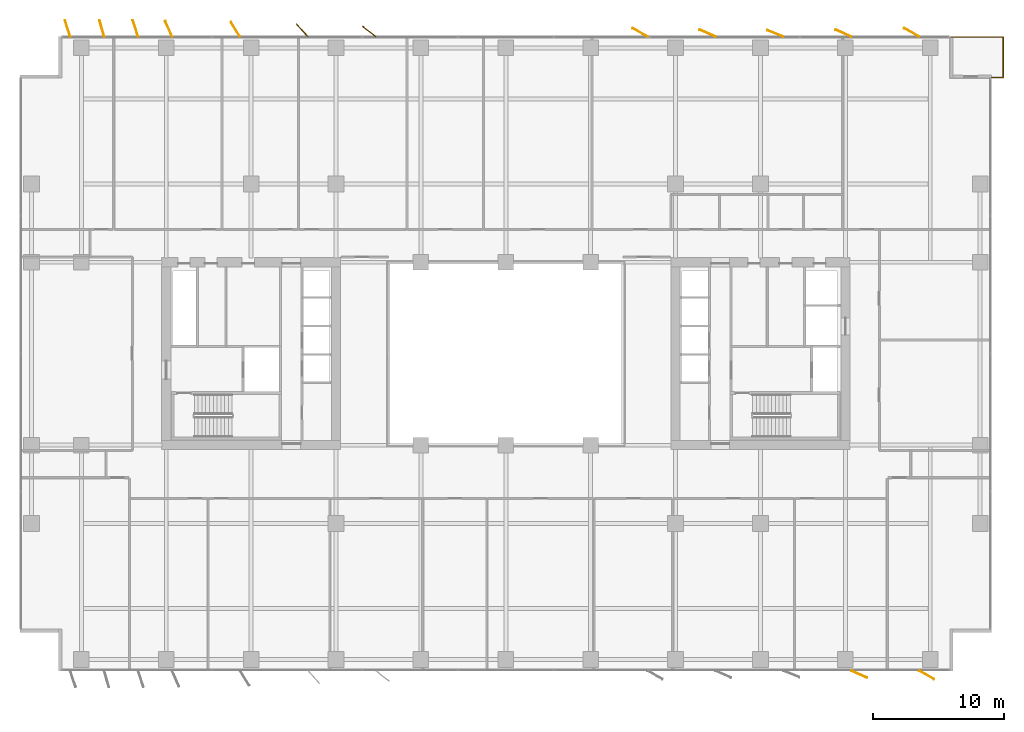
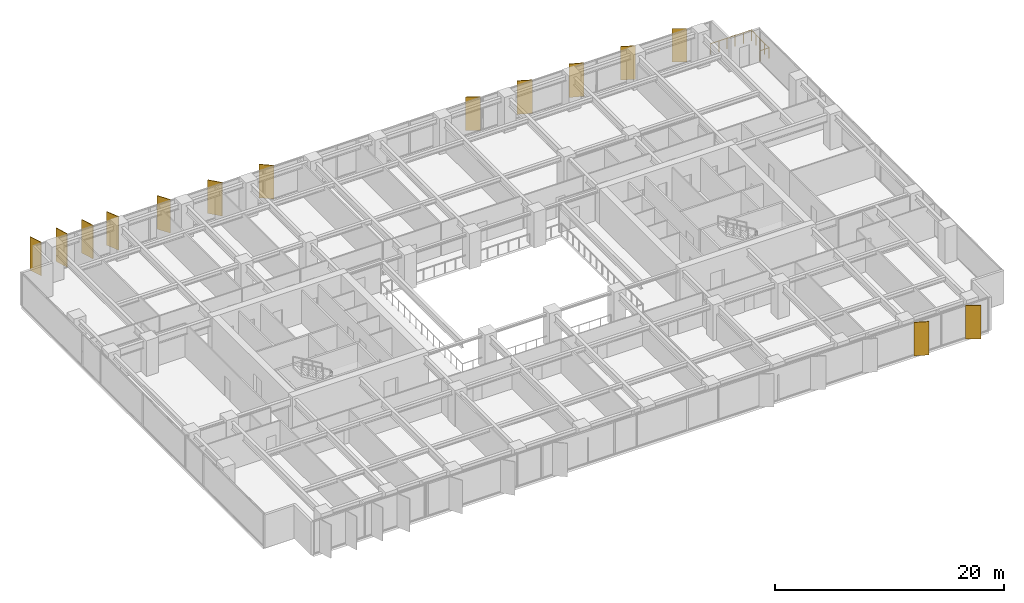
# One storey, part 20 of 20: 14 shading devices, 1 railing.
"""IFC4 building model written with IfcOpenShell, lengths in metres."""

from ifc_helpers import new_model, si_unit, direction, frame, origin, origin_2d, place, context, subcontext, project, spatial, rectangle, circle, extrude, material, layer, layer_set, type_object, element, save


model = new_model("IFC4")

# Units and contexts
model_context = context("Model", 3, precision=1e-05, world=origin(), true_north=direction((0.0, 1.0)))
body_context = subcontext(model_context, "Body", "Model", "MODEL_VIEW")
ifc_project = project(units=[si_unit("LENGTHUNIT", "METRE"), si_unit("AREAUNIT", "SQUARE_METRE"), si_unit("VOLUMEUNIT", "CUBIC_METRE"), si_unit("PLANEANGLEUNIT", "RADIAN"), si_unit("MASSUNIT", "GRAM", prefix="KILO")], contexts=[model_context])

# Site, building, storey
site_placement = place(None, origin())
site = spatial("IfcSite", under=ifc_project, at=site_placement, CompositionType="ELEMENT")
building_placement = place(site_placement, origin())
building = spatial("IfcBuilding", under=site, at=building_placement, Name="Putna Gate Headquarters", CompositionType="ELEMENT")
storey_placement = place(building_placement, frame((0.0, 0.0, 135.39990234375)))
storey = spatial("IfcBuildingStorey", under=building, at=storey_placement, Name="L33", CompositionType="ELEMENT", Elevation=135.39990234375)

# Railing
ifc_material_1 = material(Name="Anodised bronze steel and laminated glass guardrail", Category="steel")
railing_type = type_object("IfcRailingType", Name="RAIL-TERR-GUARD-1150", PredefinedType="GUARDRAIL", material=ifc_material_1)
railing_placement = place(storey_placement, frame((76.199951171875, 47.159912109375, 0.0)))
element("IfcRailing", 1, at=railing_placement, inside=storey, type_object=railing_type, Name="L33 Spiral Sky Terrace Guardrail NE", PredefinedType="GUARDRAIL", context=body_context, shape_type="SweptSolid", body=[
    extrude(circle(Radius=0.02392578125, at=origin_2d()), frame((0.0, 0.0, 1.1259765625), z_axis=(1.0, 0.0, 0.0), x_axis=(0.0, 1.0, 0.0)), (0.0, 0.0, 1.0), 0.89013671875),
    extrude(circle(Radius=0.02392578125, at=origin_2d()), frame((0.89013671875, 0.0, 1.1259765625), z_axis=(0.0, 1.0, 0.0), x_axis=(-1.0, 0.0, 0.0)), (0.0, 0.0, 1.0), 3.080078125),
    extrude(circle(Radius=0.02392578125, at=origin_2d()), frame((0.89013671875, 3.080078125, 1.1259765625), z_axis=(-1.0, 0.0, 0.0), x_axis=(0.0, -1.0, 0.0)), (0.0, 0.0, 1.0), 4.090087890625),
    extrude(circle(Radius=0.02099609375, at=origin_2d()), origin(), (0.0, 0.0, 1.0), 1.101806640625),
    extrude(circle(Radius=0.02099609375, at=origin_2d()), frame((0.89013671875, 0.0, 0.0)), (0.0, 0.0, 1.0), 1.101806640625),
    extrude(circle(Radius=0.02099609375, at=origin_2d()), frame((0.89013671875, 0.77001953125, 0.0)), (0.0, 0.0, 1.0), 1.101806640625),
    extrude(circle(Radius=0.02099609375, at=origin_2d()), frame((0.89013671875, 1.5400390625, 0.0)), (0.0, 0.0, 1.0), 1.101806640625),
    extrude(circle(Radius=0.02099609375, at=origin_2d()), frame((0.89013671875, 2.31005859375, 0.0)), (0.0, 0.0, 1.0), 1.101806640625),
    extrude(circle(Radius=0.02099609375, at=origin_2d()), frame((0.89013671875, 3.080078125, 0.0)), (0.0, 0.0, 1.0), 1.101806640625),
    extrude(circle(Radius=0.02099609375, at=origin_2d()), frame((0.072021484375, 3.080078125, 0.0)), (0.0, 0.0, 1.0), 1.101806640625),
    extrude(circle(Radius=0.02099609375, at=origin_2d()), frame((-0.745849609375, 3.080078125, 0.0)), (0.0, 0.0, 1.0), 1.101806640625),
    extrude(circle(Radius=0.02099609375, at=origin_2d()), frame((-1.56396484375, 3.080078125, 0.0)), (0.0, 0.0, 1.0), 1.101806640625),
    extrude(circle(Radius=0.02099609375, at=origin_2d()), frame((-2.3818359375, 3.080078125, 0.0)), (0.0, 0.0, 1.0), 1.101806640625),
    extrude(circle(Radius=0.02099609375, at=origin_2d()), frame((-3.199951171875, 3.080078125, 0.0)), (0.0, 0.0, 1.0), 1.101806640625),
])

# Shading devices
ifc_material_2 = material(Name="Anodised architectural bronze aluminium fin", Category="aluminium")
ifc_layer = layer(ifc_material_2, 0.06494140625)
ifc_layer_set = layer_set([ifc_layer], Name="Anodised architectural bronze aluminium fin")
shading_device_type = type_object("IfcShadingDeviceType", Name="SHADE-BRONZE-FIN-1320", PredefinedType="USERDEFINED", material=ifc_layer_set)
for number, where, z_axis, x_axis, name in (
    (2, (5.4462890625, 50.90283203125, -0.02001953125), (0.0, 0.0, 1.0), (-0.308684994204, 0.951164325631, 0.0), "L33 Bronze Vertical Shading Fin N1"),
    (3, (8.068115234375, 50.909423828125, -0.02001953125), (0.0, 0.0, 1.0), (-0.275637355817, 0.961261695938, 0.0), "L33 Bronze Vertical Shading Fin N2"),
    (4, (10.646240234375, 50.90283203125, -0.02001953125), (0.0, 0.0, 1.0), (-0.308684994204, 0.951164325631, 0.0), "L33 Bronze Vertical Shading Fin N3"),
    (5, (13.185546875, 50.879638671875, -0.02001953125), (0.0, 0.0, 1.0), (-0.400668879095, 0.916222925562, 0.0), "L33 Bronze Vertical Shading Fin N4"),
    (6, (18.2998046875, 50.83447265625, -0.02001953125), (0.0, 0.0, 1.0), (-0.530659123936, 0.847585331506, 0.0), "L33 Bronze Vertical Shading Fin N5"),
    (7, (23.408447265625, 50.765380859375, -0.02001953125), (0.0, 0.0, 1.0), (-0.669130606359, 0.743144825477, 0.0), "L33 Bronze Vertical Shading Fin N6"),
    (8, (28.5302734375, 50.681884765625, -0.02001953125), (0.0, 0.0, 1.0), (-0.787473187632, 0.616348909921, 0.0), "L33 Bronze Vertical Shading Fin N7"),
    (9, (49.276123046875, 50.601318359375, -0.02001953125), (0.0, 0.0, 1.0), (-0.869322458298, 0.494245347472, 0.0), "L33 Bronze Vertical Shading Fin N8"),
    (10, (54.447021484375, 50.543212890625, -0.02001953125), (0.0, 0.0, 1.0), (-0.913687379856, 0.40641773078, 0.0), "L33 Bronze Vertical Shading Fin N9"),
    (11, (59.63818359375, 50.522216796875, -0.02001953125), (0.0, 0.0, 1.0), (-0.927183854567, 0.374606593416, 0.0), "L33 Bronze Vertical Shading Fin N10"),
    (12, (66.052978515625, 1.456787109375, -0.02001953125), (0.0, 0.0, 1.0), (0.913687379856, -0.40641773078, 0.0), "L33 Bronze Vertical Shading Fin S11"),
    (13, (64.846923828125, 50.543212890625, -0.02001953125), (0.0, 0.0, 1.0), (-0.913687379856, 0.40641773078, 0.0), "L33 Bronze Vertical Shading Fin N11"),
    (14, (71.223876953125, 1.398681640625, -0.02001953125), (0.0, 0.0, 1.0), (0.869322458298, -0.494245347472, 0.0), "L33 Bronze Vertical Shading Fin S12"),
    (15, (70.076171875, 50.601318359375, -0.02001953125), (0.0, 0.0, 1.0), (-0.869322458298, 0.494245347472, 0.0), "L33 Bronze Vertical Shading Fin N12"),
):
    element("IfcShadingDevice", number, at=place(storey_placement, frame(where, z_axis=z_axis, x_axis=x_axis)), inside=storey, type_object=shading_device_type, Name=name, ObjectType="FIN", PredefinedType="USERDEFINED", context=body_context, shape_type="SweptSolid", body=[
        extrude(rectangle(XDim=1.320068359375, YDim=0.06494140625, at=origin_2d()), origin(), (0.0, 0.0, 1.0), 3.56005859375),
    ])

save(model, "model.ifc")
